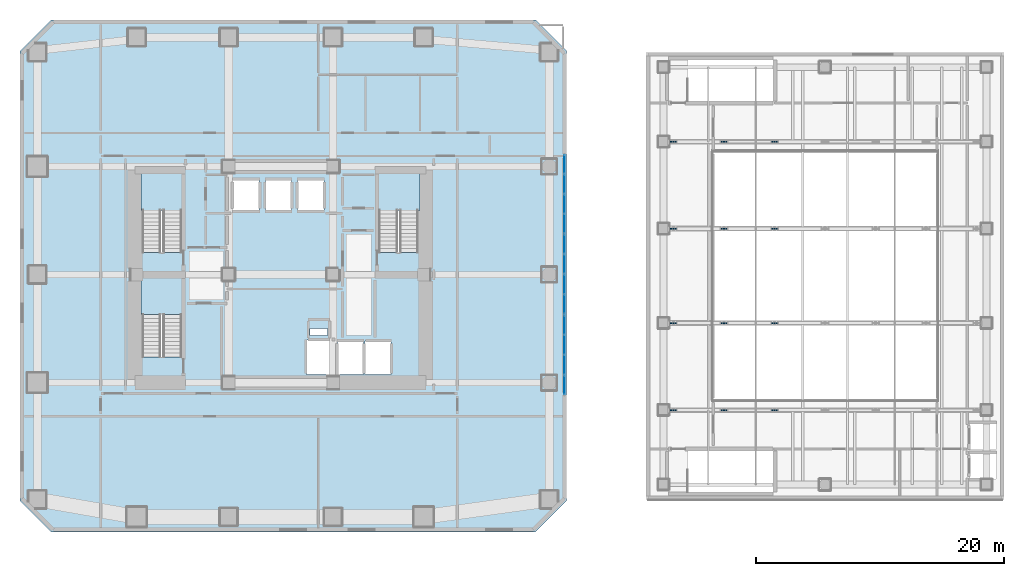
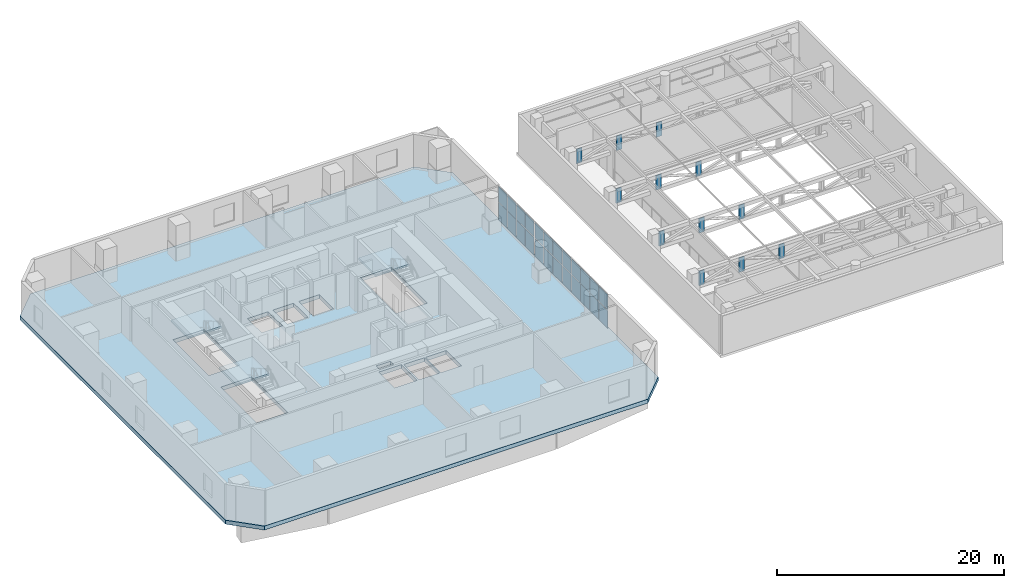
# One storey, part 14 of 25: 36 plates, 4 slabs, 6 elements without a shape of their own.
"""IFC4 building model written with IfcOpenShell, lengths in metres."""

import ifcopenshell
import ifcopenshell.guid

model = None  # the IFC model being written
_history = None  # IfcOwnerHistory: only IFC2X3 demands one
_inside = {}  # id of a spatial element -> (the spatial element, [elements in it])
_under = {}  # id of a project, library or spatial element -> (it, [spatial elements below it])
_declared = {}  # id of a project -> (the project, [libraries it declares])
_typed = {}  # id of a type object -> (the type object, [elements of that type])
_made_of = {}  # id of a material, layer set ... -> (it, [elements and type objects made of it])


def new_model(schema):
    """Start an empty IFC model of exactly this schema.

    Asked for "IFC4X3", IfcOpenShell would pick the latest addendum, in which some entities
    have other attributes; the version numbers below select the first issue.
    IFC2X3 requires an IfcOwnerHistory on every rooted entity: one is made here for all.
    """
    global model, _history
    if schema == "IFC4X3":
        model = ifcopenshell.file(schema_version=(4, 3, 0, 0))
    else:
        model = ifcopenshell.file(schema=schema)
    _inside.clear()
    _under.clear()
    _declared.clear()
    _typed.clear()
    _made_of.clear()
    _history = None
    if model.schema == "IFC2X3":
        org = make("IfcOrganization", Name="unknown")
        user = make(
            "IfcPersonAndOrganization",
            ThePerson=make("IfcPerson", FamilyName="unknown"),
            TheOrganization=org,
        )
        app = make(
            "IfcApplication",
            ApplicationDeveloper=org,
            Version="unknown",
            ApplicationFullName="unknown",
            ApplicationIdentifier="unknown",
        )
        _history = make(
            "IfcOwnerHistory",
            OwningUser=user,
            OwningApplication=app,
            ChangeAction="ADDED",
            CreationDate=0,
        )
    return model


def make(cls, **values):
    """One entity of the class cls with the attributes given. An attribute that is None is left unset."""
    return model.create_entity(
        cls, **{name: value for name, value in values.items() if value is not None}
    )


def rooted(cls, **values):
    """An entity with a GlobalId (a new one), such as an element, a storey or a relation."""
    return make(cls, GlobalId=ifcopenshell.guid.new(), OwnerHistory=_history, **values)


def si_unit(unit_type, name, prefix=None):
    """IfcSIUnit, for example si_unit("LENGTHUNIT", "METRE", prefix="MILLI")."""
    return make("IfcSIUnit", UnitType=unit_type, Prefix=prefix, Name=name)


def assignment(units):
    """IfcUnitAssignment: the units of a project."""
    return None if units is None else make("IfcUnitAssignment", Units=units)


def point(xyz):
    """IfcCartesianPoint."""
    return None if xyz is None else make("IfcCartesianPoint", Coordinates=xyz)


def direction(xyz):
    """IfcDirection."""
    return None if xyz is None else make("IfcDirection", DirectionRatios=xyz)


def frame(location, z_axis=None, x_axis=None):
    """IfcAxis2Placement3D, a coordinate frame: its origin and axes. An axis left out is left unset."""
    return make(
        "IfcAxis2Placement3D",
        Location=point(location),
        Axis=direction(z_axis),
        RefDirection=direction(x_axis),
    )


def frame_2d(location, x_axis=None):
    """IfcAxis2Placement2D, a coordinate frame in the plane: its origin and x axis."""
    return make(
        "IfcAxis2Placement2D", Location=point(location), RefDirection=direction(x_axis)
    )


def origin():
    """The frame at (0, 0, 0) with its axes left unset."""
    return frame((0.0, 0.0, 0.0))


def origin_2d():
    """The frame at (0, 0) in the plane with its x axis left unset."""
    return frame_2d((0.0, 0.0))


def place(relative_to, where):
    """IfcLocalPlacement: puts the frame where relative to a parent placement (None: the world)."""
    return make(
        "IfcLocalPlacement", PlacementRelTo=relative_to, RelativePlacement=where
    )


def context(
    kind, dimensions, precision=None, world=None, true_north=None, identifier=None
):
    """IfcGeometricRepresentationContext, for example the 3D "Model" context."""
    return make(
        "IfcGeometricRepresentationContext",
        ContextIdentifier=identifier,
        ContextType=kind,
        CoordinateSpaceDimension=dimensions,
        Precision=precision,
        WorldCoordinateSystem=world,
        TrueNorth=true_north,
    )


def subcontext(parent, identifier, kind, view, scale=None):
    """IfcGeometricRepresentationSubContext, for example "Body" below "Model"."""
    return make(
        "IfcGeometricRepresentationSubContext",
        ContextIdentifier=identifier,
        ContextType=kind,
        ParentContext=parent,
        TargetScale=scale,
        TargetView=view,
    )


def project(units=None, contexts=None):
    """IfcProject with its units and contexts."""
    return rooted(
        "IfcProject",
        Name="project",
        RepresentationContexts=contexts,
        UnitsInContext=assignment(units),
    )


def spatial(cls, under=None, at=None, **own):
    """A site, building, storey or space (cls), placed at a placement, below another one or the project."""
    s = rooted(cls, ObjectPlacement=at, **own)
    if under is not None:
        _under.setdefault(under.id(), (under, []))[1].append(s)
    return s


def polyline(points):
    """IfcPolyline through the points."""
    return make("IfcPolyline", Points=[point(p) for p in points])


def profile(cls, at=None, kind="AREA", **sizes):
    """A parametric profile (cls). Its sizes go by their IFC names, for example OverallWidth=200.0."""
    return make(cls, ProfileType=kind, Position=at, **sizes)


def rectangle(**sizes):
    """IfcRectangleProfileDef."""
    return profile("IfcRectangleProfileDef", **sizes)


def outline(outer, holes=None, kind="AREA"):
    """IfcArbitraryClosedProfileDef: a profile drawn as a closed curve; with holes, ...WithVoids."""
    if holes is None:
        return make("IfcArbitraryClosedProfileDef", ProfileType=kind, OuterCurve=outer)
    return make(
        "IfcArbitraryProfileDefWithVoids",
        ProfileType=kind,
        OuterCurve=outer,
        InnerCurves=holes,
    )


def extrude(swept, where, along, depth):
    """IfcExtrudedAreaSolid: the profile swept, set in the frame where, extruded along a direction by depth."""
    return make(
        "IfcExtrudedAreaSolid",
        SweptArea=swept,
        Position=where,
        ExtrudedDirection=direction(along),
        Depth=depth,
    )


def shape(context_of_items, identifier, shape_type, items):
    """IfcShapeRepresentation: the items that make up one representation, for example the "Body"."""
    return make(
        "IfcShapeRepresentation",
        ContextOfItems=context_of_items,
        RepresentationIdentifier=identifier,
        RepresentationType=shape_type,
        Items=items,
    )


def material(Name=None, Category=None):
    """IfcMaterial."""
    return make("IfcMaterial", Name=Name, Category=Category)


def layer(
    of_material, thickness, ventilated=None, Name=None, Category=None, Priority=None
):
    """IfcMaterialLayer: one layer of a wall or slab, of a material (None: an air gap)."""
    return make(
        "IfcMaterialLayer",
        Material=of_material,
        LayerThickness=thickness,
        IsVentilated=ventilated,
        Name=Name,
        Category=Category,
        Priority=Priority,
    )


def layer_set(layers, Name=None):
    """IfcMaterialLayerSet."""
    return make("IfcMaterialLayerSet", MaterialLayers=layers, LayerSetName=Name)


def made_of(thing, what):
    """Note that an element or type object is made of a material, layer set ...; save() writes the relation."""
    if what is not None:
        _made_of.setdefault(what.id(), (what, []))[1].append(thing)
    return thing


def type_object(cls, material=None, **own):
    """A type object (cls), such as IfcWallType, which elements share."""
    return made_of(rooted(cls, **own), material)


def element(
    cls,
    number,
    at=None,
    inside=None,
    cuts=None,
    type_object=None,
    material=None,
    context=None,
    identifier="Body",
    shape_type=None,
    held_by="IfcProductDefinitionShape",
    body=None,
    shapes=None,
    **own,
):
    """One element of the class cls, such as IfcWall. Its Tag is "e" and its number.

    at: its placement. inside: the storey or other place that contains it. cuts: it is an
    opening in that element (IfcRelVoidsElement). A single representation is given by context,
    identifier, shape_type and body (its items); several are given by shapes. held_by: the class
    of the entity that holds the representations. save() writes the other relations.
    """
    e = rooted(cls, Tag="e%d" % number, ObjectPlacement=at, **own)
    if body is not None:
        shapes = [shape(context, identifier, shape_type, body)]
    if shapes is not None:
        e.Representation = make(held_by, Representations=shapes)
    if inside is not None:
        _inside.setdefault(inside.id(), (inside, []))[1].append(e)
    if cuts is not None:
        rooted(
            "IfcRelVoidsElement", RelatingBuildingElement=cuts, RelatedOpeningElement=e
        )
    if type_object is not None:
        _typed.setdefault(type_object.id(), (type_object, []))[1].append(e)
    return made_of(e, material)


def aggregate(whole, parts):
    """IfcRelAggregates: a whole, such as a stair, and the parts it consists of."""
    return rooted("IfcRelAggregates", RelatingObject=whole, RelatedObjects=parts)


def save(model, path):
    """Write the relations noted so far, then the file.

    IfcRelAggregates (storeys below a building ...), IfcRelContainedInSpatialStructure (elements
    in a storey), IfcRelDefinesByType, IfcRelAssociatesMaterial and IfcRelDeclares: one each for
    every whole, place, type object, material and project.
    """
    for whole, parts in _under.values():
        aggregate(whole, parts)
    for where, things in _inside.values():
        rooted(
            "IfcRelContainedInSpatialStructure",
            RelatedElements=things,
            RelatingStructure=where,
        )
    for kind, things in _typed.values():
        rooted("IfcRelDefinesByType", RelatedObjects=things, RelatingType=kind)
    for what, things in _made_of.values():
        rooted("IfcRelAssociatesMaterial", RelatedObjects=things, RelatingMaterial=what)
    for by, libraries in _declared.values():
        rooted("IfcRelDeclares", RelatingContext=by, RelatedDefinitions=libraries)
    model.write(path)


model = new_model("IFC4")

# Units and contexts
model_context = context("Model", 3, precision=1e-05, world=origin(), true_north=direction((0.0, 1.0)))
body_context = subcontext(model_context, "Body", "Model", "MODEL_VIEW")
ifc_project = project(units=[si_unit("LENGTHUNIT", "METRE"), si_unit("AREAUNIT", "SQUARE_METRE"), si_unit("VOLUMEUNIT", "CUBIC_METRE"), si_unit("PLANEANGLEUNIT", "RADIAN"), si_unit("MASSUNIT", "GRAM", prefix="KILO")], contexts=[model_context])

# Site, building, storey
site_placement = place(None, origin())
site = spatial("IfcSite", under=ifc_project, at=site_placement, CompositionType="ELEMENT")
building_placement = place(site_placement, origin())
building = spatial("IfcBuilding", under=site, at=building_placement, Name="Solanera Arch Residences", CompositionType="ELEMENT")
storey_placement = place(building_placement, frame((0.0, 0.0, 17.800048828125)))
storey = spatial("IfcBuildingStorey", under=building, at=storey_placement, Name="L04", CompositionType="ELEMENT", Elevation=17.800048828125)

# Plates
ifc_material_1 = material(Name="Steel S355 (ASTM A992 / A572 Grade 50)", Category="steel")
ifc_layer_1 = layer(ifc_material_1, 0.080078125)
ifc_layer_set_1 = layer_set([ifc_layer_1], Name="Steel S355 (ASTM A992 / A572 Grade 50)")
plate_type_1 = type_object("IfcPlateType", Name="Gusset Plate GP-80", PredefinedType="USERDEFINED", material=ifc_layer_set_1)
for number, where, z_axis, x_axis, name in (
    (1, (56.60009765625, 19.800048828125, 2.469970703125), (0.0, 0.0, 1.0), (1.0, 0.0, 0.0), "Sports Hall Truss 1 Node Gusset 0"),
    (2, (60.6669921875, 19.800048828125, 2.469970703125), (0.0, 0.0, 1.0), (1.0, 0.0, 0.0), "Sports Hall Truss 1 Node Gusset 1"),
    (3, (64.73291015625, 19.800048828125, 2.469970703125), (0.0, 0.0, 1.0), (1.0, 0.0, 0.0), "Sports Hall Truss 1 Node Gusset 2"),
    (4, (56.60009765625, 26.800048828125, 2.469970703125), (0.0, 0.0, 1.0), (1.0, 0.0, 0.0), "Sports Hall Truss 2 Node Gusset 0"),
    (5, (60.6669921875, 26.800048828125, 2.469970703125), (0.0, 0.0, 1.0), (1.0, 0.0, 0.0), "Sports Hall Truss 2 Node Gusset 1"),
    (6, (64.73291015625, 26.800048828125, 2.469970703125), (0.0, 0.0, 1.0), (1.0, 0.0, 0.0), "Sports Hall Truss 2 Node Gusset 2"),
    (7, (56.60009765625, 34.39990234375, 2.469970703125), (0.0, 0.0, 1.0), (1.0, 0.0, 0.0), "Sports Hall Truss 3 Node Gusset 0"),
    (8, (60.6669921875, 34.39990234375, 2.469970703125), (0.0, 0.0, 1.0), (1.0, 0.0, 0.0), "Sports Hall Truss 3 Node Gusset 1"),
    (9, (64.73291015625, 34.39990234375, 2.469970703125), (0.0, 0.0, 1.0), (1.0, 0.0, 0.0), "Sports Hall Truss 3 Node Gusset 2"),
    (10, (56.60009765625, 41.39990234375, 2.469970703125), (0.0, 0.0, 1.0), (1.0, 0.0, 0.0), "Sports Hall Truss 4 Node Gusset 0"),
    (11, (60.6669921875, 41.39990234375, 2.469970703125), (0.0, 0.0, 1.0), (1.0, 0.0, 0.0), "Sports Hall Truss 4 Node Gusset 1"),
    (12, (64.73291015625, 41.39990234375, 2.469970703125), (0.0, 0.0, 1.0), (1.0, 0.0, 0.0), "Sports Hall Truss 4 Node Gusset 2"),
):
    element("IfcPlate", number, at=place(storey_placement, frame(where, z_axis=z_axis, x_axis=x_axis)), inside=storey, type_object=plate_type_1, Name=name, ObjectType="GUSSET", PredefinedType="USERDEFINED", context=body_context, shape_type="SweptSolid", body=[
        extrude(rectangle(XDim=0.56005859375, YDim=0.080078125, at=origin_2d()), origin(), (0.0, 0.0, 1.0), 1.56005859375),
    ])

# Stair, slab
ifc_material_2 = material(Name="Concrete C40/50 (f'c = 45 MPa)", Category="concrete")
stair_type = type_object("IfcStairType", Name="Tower Dogleg Exit Stair 1480", PredefinedType="HALF_TURN_STAIR", material=ifc_material_2)
stair_1_placement = place(storey_placement, origin())
stair_1 = element("IfcStair", 13, at=stair_1_placement, inside=storey, type_object=stair_type, Name="L04 Tower Core Exit Stair 1", PredefinedType="HALF_TURN_STAIR")
ifc_material_3 = material(Name="Concrete C40/50 (f'c = 45 MPa)", Category="concrete")
ifc_layer_2 = layer(ifc_material_3, 0.199951171875)
ifc_layer_set_2 = layer_set([ifc_layer_2], Name="Concrete C40/50 (f'c = 45 MPa)")
slab_type_1 = type_object("IfcSlabType", Name="Stair Half-Landing Slab 200", PredefinedType="LANDING", material=ifc_layer_set_2)
slab_1_placement = place(storey_placement, frame((0.0, 0.0, 1.89990234375)))
slab_1 = element("IfcSlab", 14, at=slab_1_placement, type_object=slab_type_1, Name="ST-T1 landing 1", PredefinedType="LANDING", context=body_context, shape_type="SweptSolid", body=[
    extrude(outline(polyline([(17.1201171875, 35.8798828125), (17.1201171875, 38.919921875), (13.719970703125, 38.919921875), (13.719970703125, 35.8798828125), (17.1201171875, 35.8798828125)])), origin(), (0.0, 0.0, 1.0), 0.199951171875),
])
aggregate(stair_1, [slab_1])

stair_2_placement = place(storey_placement, origin())
stair_2 = element("IfcStair", 15, at=stair_2_placement, inside=storey, type_object=stair_type, Name="L04 Tower Core Exit Stair 2", PredefinedType="HALF_TURN_STAIR")
slab_2_placement = place(storey_placement, frame((0.0, 0.0, 1.89990234375)))
slab_2 = element("IfcSlab", 16, at=slab_2_placement, type_object=slab_type_1, Name="ST-T2 landing 1", PredefinedType="LANDING", context=body_context, shape_type="SweptSolid", body=[
    extrude(outline(polyline([(36.179931640625, 35.8798828125), (36.179931640625, 38.919921875), (32.780029296875, 38.919921875), (32.780029296875, 35.8798828125), (36.179931640625, 35.8798828125)])), origin(), (0.0, 0.0, 1.0), 0.199951171875),
])
aggregate(stair_2, [slab_2])

stair_3_placement = place(storey_placement, origin())
stair_3 = element("IfcStair", 17, at=stair_3_placement, inside=storey, type_object=stair_type, Name="L04 Tower Core Exit Stair 3", PredefinedType="HALF_TURN_STAIR")
slab_3_placement = place(storey_placement, frame((0.0, 0.0, 1.89990234375)))
slab_3 = element("IfcSlab", 18, at=slab_3_placement, type_object=slab_type_1, Name="ST-T3 landing 1", PredefinedType="LANDING", context=body_context, shape_type="SweptSolid", body=[
    extrude(outline(polyline([(17.1201171875, 27.47998046875), (17.1201171875, 30.52001953125), (13.719970703125, 30.52001953125), (13.719970703125, 27.47998046875), (17.1201171875, 27.47998046875)])), origin(), (0.0, 0.0, 1.0), 0.199951171875),
])
aggregate(stair_3, [slab_3])

# Slab
ifc_material_4 = material(Name="Concrete C40/50 (f'c = 45 MPa)", Category="concrete")
ifc_layer_3 = layer(ifc_material_4, 0.419921875)
ifc_layer_set_3 = layer_set([ifc_layer_3], Name="Concrete C40/50 (f'c = 45 MPa)")
slab_type_2 = type_object("IfcSlabType", Name="Suspended Floor Slab Post-Tensioned 420", PredefinedType="FLOOR", material=ifc_layer_set_3)
slab_4_placement = place(storey_placement, frame((0.0, 0.0, -0.420166015625)))
element("IfcSlab", 19, at=slab_4_placement, inside=storey, type_object=slab_type_2, Name="L04 Tower Podium Structural Slab", PredefinedType="FLOOR", context=body_context, shape_type="SweptSolid", body=[
    extrude(outline(polyline([(6.5, 10.0), (45.5, 10.0), (48.0, 12.5), (48.0, 48.699951171875), (45.5, 51.199951171875), (6.5, 51.199951171875), (4.0, 48.699951171875), (4.0, 12.5), (6.5, 10.0)]), holes=[polyline([(13.840087890625, 32.48291015625), (13.840087890625, 38.800048828125), (17.0, 38.800048828125), (17.0, 32.48291015625), (13.840087890625, 32.48291015625)]), polyline([(32.89990234375, 32.48291015625), (32.89990234375, 38.800048828125), (36.06005859375, 38.800048828125), (36.06005859375, 32.48291015625), (32.89990234375, 32.48291015625)]), polyline([(13.840087890625, 24.0830078125), (13.840087890625, 30.39990234375), (17.0, 30.39990234375), (17.0, 24.0830078125), (13.840087890625, 24.0830078125)]), polyline([(21.14990234375, 38.35009765625), (23.25, 38.35009765625), (23.25, 35.85009765625), (21.14990234375, 35.85009765625), (21.14990234375, 38.35009765625)]), polyline([(23.75, 38.35009765625), (25.85009765625, 38.35009765625), (25.85009765625, 35.85009765625), (23.75, 35.85009765625), (23.75, 38.35009765625)]), polyline([(26.35009765625, 38.35009765625), (28.449951171875, 38.35009765625), (28.449951171875, 35.85009765625), (26.35009765625, 35.85009765625), (26.35009765625, 38.35009765625)]), polyline([(29.550048828125, 25.35009765625), (31.64990234375, 25.35009765625), (31.64990234375, 22.64990234375), (29.550048828125, 22.64990234375), (29.550048828125, 25.35009765625)]), polyline([(31.75, 25.35009765625), (33.85009765625, 25.35009765625), (33.85009765625, 22.64990234375), (31.75, 22.64990234375), (31.75, 25.35009765625)]), polyline([(27.050048828125, 25.449951171875), (29.35009765625, 25.449951171875), (29.35009765625, 22.64990234375), (27.050048828125, 22.64990234375), (27.050048828125, 25.449951171875)]), polyline([(27.340087890625, 26.3798828125), (28.760009765625, 26.3798828125), (28.760009765625, 25.820068359375), (27.340087890625, 25.820068359375), (27.340087890625, 26.3798828125)])]), origin(), (0.0, 0.0, 1.0), 0.420166015625),
])

# Curtain wall, plates
ifc_material_5 = material(Name="Anodised Aluminium Alloy 6063-T6", Category="aluminium")
ifc_layer_4 = layer(ifc_material_5, 0.179931640625)
ifc_layer_set_4 = layer_set([ifc_layer_4], Name="Anodised Aluminium Alloy 6063-T6")
curtain_wall_type = type_object("IfcCurtainWallType", Name="CW-4 Podium Conservatory Curtain Wall", PredefinedType="USERDEFINED", material=ifc_layer_set_4)
curtain_wall_1_placement = place(storey_placement, origin())
curtain_wall_1 = element("IfcCurtainWall", 20, at=curtain_wall_1_placement, inside=storey, type_object=curtain_wall_type, Name="L04 Podium Conservatory Curtain Wall 1", ObjectType="CURTAIN_WALL", PredefinedType="USERDEFINED")
ifc_material_6 = material(Name="Double Glazed Low-E Laminated Glass", Category="glass")
ifc_layer_5 = layer(ifc_material_6, 0.028076171875)
ifc_layer_set_5 = layer_set([ifc_layer_5], Name="Double Glazed Low-E Laminated Glass")
plate_type_2 = type_object("IfcPlateType", Name="Vision Glazing Panel GL-28", PredefinedType="CURTAIN_PANEL", material=ifc_layer_set_5)
plate_1_placement = place(storey_placement, frame((47.820068359375, 39.580078125, 0.080078125), z_axis=(0.0, 0.0, 1.0), x_axis=(0.0, -1.0, 0.0)))
plate_1 = element("IfcPlate", 21, at=plate_1_placement, type_object=plate_type_2, Name="CW-4 panel 1.1", PredefinedType="CURTAIN_PANEL", context=body_context, shape_type="SweptSolid", body=[
    extrude(rectangle(XDim=1.47998046875, YDim=0.028076171875, at=origin_2d()), origin(), (0.0, 0.0, 1.0), 1.8798828125),
])
plate_2_placement = place(storey_placement, frame((47.820068359375, 39.580078125, 2.0400390625), z_axis=(0.0, 0.0, 1.0), x_axis=(0.0, -1.0, 0.0)))
plate_2 = element("IfcPlate", 22, at=plate_2_placement, type_object=plate_type_2, Name="CW-4 panel 1.2", PredefinedType="CURTAIN_PANEL", context=body_context, shape_type="SweptSolid", body=[
    extrude(rectangle(XDim=1.47998046875, YDim=0.028076171875, at=origin_2d()), origin(), (0.0, 0.0, 1.0), 1.659912109375),
])
plate_3_placement = place(storey_placement, frame((47.820068359375, 38.0, 0.080078125), z_axis=(0.0, 0.0, 1.0), x_axis=(0.0, -1.0, 0.0)))
plate_3 = element("IfcPlate", 23, at=plate_3_placement, type_object=plate_type_2, Name="CW-4 panel 2.1", PredefinedType="CURTAIN_PANEL", context=body_context, shape_type="SweptSolid", body=[
    extrude(rectangle(XDim=1.52001953125, YDim=0.028076171875, at=origin_2d()), origin(), (0.0, 0.0, 1.0), 1.8798828125),
])
plate_4_placement = place(storey_placement, frame((47.820068359375, 38.0, 2.0400390625), z_axis=(0.0, 0.0, 1.0), x_axis=(0.0, -1.0, 0.0)))
plate_4 = element("IfcPlate", 24, at=plate_4_placement, type_object=plate_type_2, Name="CW-4 panel 2.2", PredefinedType="CURTAIN_PANEL", context=body_context, shape_type="SweptSolid", body=[
    extrude(rectangle(XDim=1.52001953125, YDim=0.028076171875, at=origin_2d()), origin(), (0.0, 0.0, 1.0), 1.659912109375),
])
plate_5_placement = place(storey_placement, frame((47.820068359375, 36.39990234375, 0.080078125), z_axis=(0.0, 0.0, 1.0), x_axis=(0.0, -1.0, 0.0)))
plate_5 = element("IfcPlate", 25, at=plate_5_placement, type_object=plate_type_2, Name="CW-4 panel 3.1", PredefinedType="CURTAIN_PANEL", context=body_context, shape_type="SweptSolid", body=[
    extrude(rectangle(XDim=1.52001953125, YDim=0.028076171875, at=origin_2d()), origin(), (0.0, 0.0, 1.0), 1.8798828125),
])
plate_6_placement = place(storey_placement, frame((47.820068359375, 36.39990234375, 2.0400390625), z_axis=(0.0, 0.0, 1.0), x_axis=(0.0, -1.0, 0.0)))
plate_6 = element("IfcPlate", 26, at=plate_6_placement, type_object=plate_type_2, Name="CW-4 panel 3.2", PredefinedType="CURTAIN_PANEL", context=body_context, shape_type="SweptSolid", body=[
    extrude(rectangle(XDim=1.52001953125, YDim=0.028076171875, at=origin_2d()), origin(), (0.0, 0.0, 1.0), 1.659912109375),
])
plate_7_placement = place(storey_placement, frame((47.820068359375, 34.820068359375, 0.080078125), z_axis=(0.0, 0.0, 1.0), x_axis=(0.0, -1.0, 0.0)))
plate_7 = element("IfcPlate", 27, at=plate_7_placement, type_object=plate_type_2, Name="CW-4 panel 4.1", PredefinedType="CURTAIN_PANEL", context=body_context, shape_type="SweptSolid", body=[
    extrude(rectangle(XDim=1.47998046875, YDim=0.028076171875, at=origin_2d()), origin(), (0.0, 0.0, 1.0), 1.8798828125),
])
plate_8_placement = place(storey_placement, frame((47.820068359375, 34.820068359375, 2.0400390625), z_axis=(0.0, 0.0, 1.0), x_axis=(0.0, -1.0, 0.0)))
plate_8 = element("IfcPlate", 28, at=plate_8_placement, type_object=plate_type_2, Name="CW-4 panel 4.2", PredefinedType="CURTAIN_PANEL", context=body_context, shape_type="SweptSolid", body=[
    extrude(rectangle(XDim=1.47998046875, YDim=0.028076171875, at=origin_2d()), origin(), (0.0, 0.0, 1.0), 1.659912109375),
])
aggregate(curtain_wall_1, [plate_1, plate_2, plate_3, plate_4, plate_5, plate_6, plate_7, plate_8])

curtain_wall_2_placement = place(storey_placement, origin())
curtain_wall_2 = element("IfcCurtainWall", 29, at=curtain_wall_2_placement, inside=storey, type_object=curtain_wall_type, Name="L04 Podium Conservatory Curtain Wall 2", ObjectType="CURTAIN_WALL", PredefinedType="USERDEFINED")
plate_9_placement = place(storey_placement, frame((47.820068359375, 33.16748046875, 0.080078125), z_axis=(0.0, 0.0, 1.0), x_axis=(0.0, -1.0, 0.0)))
plate_9 = element("IfcPlate", 30, at=plate_9_placement, type_object=plate_type_2, Name="CW-4 panel 1.1", PredefinedType="CURTAIN_PANEL", context=body_context, shape_type="SweptSolid", body=[
    extrude(rectangle(XDim=1.5048828125, YDim=0.028076171875, at=origin_2d()), origin(), (0.0, 0.0, 1.0), 1.8798828125),
])
plate_10_placement = place(storey_placement, frame((47.820068359375, 33.16748046875, 2.0400390625), z_axis=(0.0, 0.0, 1.0), x_axis=(0.0, -1.0, 0.0)))
plate_10 = element("IfcPlate", 31, at=plate_10_placement, type_object=plate_type_2, Name="CW-4 panel 1.2", PredefinedType="CURTAIN_PANEL", context=body_context, shape_type="SweptSolid", body=[
    extrude(rectangle(XDim=1.5048828125, YDim=0.028076171875, at=origin_2d()), origin(), (0.0, 0.0, 1.0), 1.659912109375),
])
plate_11_placement = place(storey_placement, frame((47.820068359375, 31.5625, 0.080078125), z_axis=(0.0, 0.0, 1.0), x_axis=(0.0, -1.0, 0.0)))
plate_11 = element("IfcPlate", 32, at=plate_11_placement, type_object=plate_type_2, Name="CW-4 panel 2.1", PredefinedType="CURTAIN_PANEL", context=body_context, shape_type="SweptSolid", body=[
    extrude(rectangle(XDim=1.544921875, YDim=0.028076171875, at=origin_2d()), origin(), (0.0, 0.0, 1.0), 1.8798828125),
])
plate_12_placement = place(storey_placement, frame((47.820068359375, 31.5625, 2.0400390625), z_axis=(0.0, 0.0, 1.0), x_axis=(0.0, -1.0, 0.0)))
plate_12 = element("IfcPlate", 33, at=plate_12_placement, type_object=plate_type_2, Name="CW-4 panel 2.2", PredefinedType="CURTAIN_PANEL", context=body_context, shape_type="SweptSolid", body=[
    extrude(rectangle(XDim=1.544921875, YDim=0.028076171875, at=origin_2d()), origin(), (0.0, 0.0, 1.0), 1.659912109375),
])
plate_13_placement = place(storey_placement, frame((47.820068359375, 29.9375, 0.080078125), z_axis=(0.0, 0.0, 1.0), x_axis=(0.0, -1.0, 0.0)))
plate_13 = element("IfcPlate", 34, at=plate_13_placement, type_object=plate_type_2, Name="CW-4 panel 3.1", PredefinedType="CURTAIN_PANEL", context=body_context, shape_type="SweptSolid", body=[
    extrude(rectangle(XDim=1.544921875, YDim=0.028076171875, at=origin_2d()), origin(), (0.0, 0.0, 1.0), 1.8798828125),
])
plate_14_placement = place(storey_placement, frame((47.820068359375, 29.9375, 2.0400390625), z_axis=(0.0, 0.0, 1.0), x_axis=(0.0, -1.0, 0.0)))
plate_14 = element("IfcPlate", 35, at=plate_14_placement, type_object=plate_type_2, Name="CW-4 panel 3.2", PredefinedType="CURTAIN_PANEL", context=body_context, shape_type="SweptSolid", body=[
    extrude(rectangle(XDim=1.544921875, YDim=0.028076171875, at=origin_2d()), origin(), (0.0, 0.0, 1.0), 1.659912109375),
])
plate_15_placement = place(storey_placement, frame((47.820068359375, 28.33251953125, 0.080078125), z_axis=(0.0, 0.0, 1.0), x_axis=(0.0, -1.0, 0.0)))
plate_15 = element("IfcPlate", 36, at=plate_15_placement, type_object=plate_type_2, Name="CW-4 panel 4.1", PredefinedType="CURTAIN_PANEL", context=body_context, shape_type="SweptSolid", body=[
    extrude(rectangle(XDim=1.5048828125, YDim=0.028076171875, at=origin_2d()), origin(), (0.0, 0.0, 1.0), 1.8798828125),
])
plate_16_placement = place(storey_placement, frame((47.820068359375, 28.33251953125, 2.0400390625), z_axis=(0.0, 0.0, 1.0), x_axis=(0.0, -1.0, 0.0)))
plate_16 = element("IfcPlate", 37, at=plate_16_placement, type_object=plate_type_2, Name="CW-4 panel 4.2", PredefinedType="CURTAIN_PANEL", context=body_context, shape_type="SweptSolid", body=[
    extrude(rectangle(XDim=1.5048828125, YDim=0.028076171875, at=origin_2d()), origin(), (0.0, 0.0, 1.0), 1.659912109375),
])
aggregate(curtain_wall_2, [plate_9, plate_10, plate_11, plate_12, plate_13, plate_14, plate_15, plate_16])

curtain_wall_3_placement = place(storey_placement, origin())
curtain_wall_3 = element("IfcCurtainWall", 38, at=curtain_wall_3_placement, inside=storey, type_object=curtain_wall_type, Name="L04 Podium Conservatory Curtain Wall 3", ObjectType="CURTAIN_WALL", PredefinedType="USERDEFINED")
plate_17_placement = place(storey_placement, frame((47.820068359375, 26.66748046875, 0.080078125), z_axis=(0.0, 0.0, 1.0), x_axis=(0.0, -1.0, 0.0)))
plate_17 = element("IfcPlate", 39, at=plate_17_placement, type_object=plate_type_2, Name="CW-4 panel 1.1", PredefinedType="CURTAIN_PANEL", context=body_context, shape_type="SweptSolid", body=[
    extrude(rectangle(XDim=1.5048828125, YDim=0.028076171875, at=origin_2d()), origin(), (0.0, 0.0, 1.0), 1.8798828125),
])
plate_18_placement = place(storey_placement, frame((47.820068359375, 26.66748046875, 2.0400390625), z_axis=(0.0, 0.0, 1.0), x_axis=(0.0, -1.0, 0.0)))
plate_18 = element("IfcPlate", 40, at=plate_18_placement, type_object=plate_type_2, Name="CW-4 panel 1.2", PredefinedType="CURTAIN_PANEL", context=body_context, shape_type="SweptSolid", body=[
    extrude(rectangle(XDim=1.5048828125, YDim=0.028076171875, at=origin_2d()), origin(), (0.0, 0.0, 1.0), 1.659912109375),
])
plate_19_placement = place(storey_placement, frame((47.820068359375, 25.0625, 0.080078125), z_axis=(0.0, 0.0, 1.0), x_axis=(0.0, -1.0, 0.0)))
plate_19 = element("IfcPlate", 41, at=plate_19_placement, type_object=plate_type_2, Name="CW-4 panel 2.1", PredefinedType="CURTAIN_PANEL", context=body_context, shape_type="SweptSolid", body=[
    extrude(rectangle(XDim=1.544921875, YDim=0.028076171875, at=origin_2d()), origin(), (0.0, 0.0, 1.0), 1.8798828125),
])
plate_20_placement = place(storey_placement, frame((47.820068359375, 25.0625, 2.0400390625), z_axis=(0.0, 0.0, 1.0), x_axis=(0.0, -1.0, 0.0)))
plate_20 = element("IfcPlate", 42, at=plate_20_placement, type_object=plate_type_2, Name="CW-4 panel 2.2", PredefinedType="CURTAIN_PANEL", context=body_context, shape_type="SweptSolid", body=[
    extrude(rectangle(XDim=1.544921875, YDim=0.028076171875, at=origin_2d()), origin(), (0.0, 0.0, 1.0), 1.659912109375),
])
plate_21_placement = place(storey_placement, frame((47.820068359375, 23.4375, 0.080078125), z_axis=(0.0, 0.0, 1.0), x_axis=(0.0, -1.0, 0.0)))
plate_21 = element("IfcPlate", 43, at=plate_21_placement, type_object=plate_type_2, Name="CW-4 panel 3.1", PredefinedType="CURTAIN_PANEL", context=body_context, shape_type="SweptSolid", body=[
    extrude(rectangle(XDim=1.544921875, YDim=0.028076171875, at=origin_2d()), origin(), (0.0, 0.0, 1.0), 1.8798828125),
])
plate_22_placement = place(storey_placement, frame((47.820068359375, 23.4375, 2.0400390625), z_axis=(0.0, 0.0, 1.0), x_axis=(0.0, -1.0, 0.0)))
plate_22 = element("IfcPlate", 44, at=plate_22_placement, type_object=plate_type_2, Name="CW-4 panel 3.2", PredefinedType="CURTAIN_PANEL", context=body_context, shape_type="SweptSolid", body=[
    extrude(rectangle(XDim=1.544921875, YDim=0.028076171875, at=origin_2d()), origin(), (0.0, 0.0, 1.0), 1.659912109375),
])
plate_23_placement = place(storey_placement, frame((47.820068359375, 21.83251953125, 0.080078125), z_axis=(0.0, 0.0, 1.0), x_axis=(0.0, -1.0, 0.0)))
plate_23 = element("IfcPlate", 45, at=plate_23_placement, type_object=plate_type_2, Name="CW-4 panel 4.1", PredefinedType="CURTAIN_PANEL", context=body_context, shape_type="SweptSolid", body=[
    extrude(rectangle(XDim=1.5048828125, YDim=0.028076171875, at=origin_2d()), origin(), (0.0, 0.0, 1.0), 1.8798828125),
])
plate_24_placement = place(storey_placement, frame((47.820068359375, 21.83251953125, 2.0400390625), z_axis=(0.0, 0.0, 1.0), x_axis=(0.0, -1.0, 0.0)))
plate_24 = element("IfcPlate", 46, at=plate_24_placement, type_object=plate_type_2, Name="CW-4 panel 4.2", PredefinedType="CURTAIN_PANEL", context=body_context, shape_type="SweptSolid", body=[
    extrude(rectangle(XDim=1.5048828125, YDim=0.028076171875, at=origin_2d()), origin(), (0.0, 0.0, 1.0), 1.659912109375),
])
aggregate(curtain_wall_3, [plate_17, plate_18, plate_19, plate_20, plate_21, plate_22, plate_23, plate_24])

save(model, "model.ifc")
